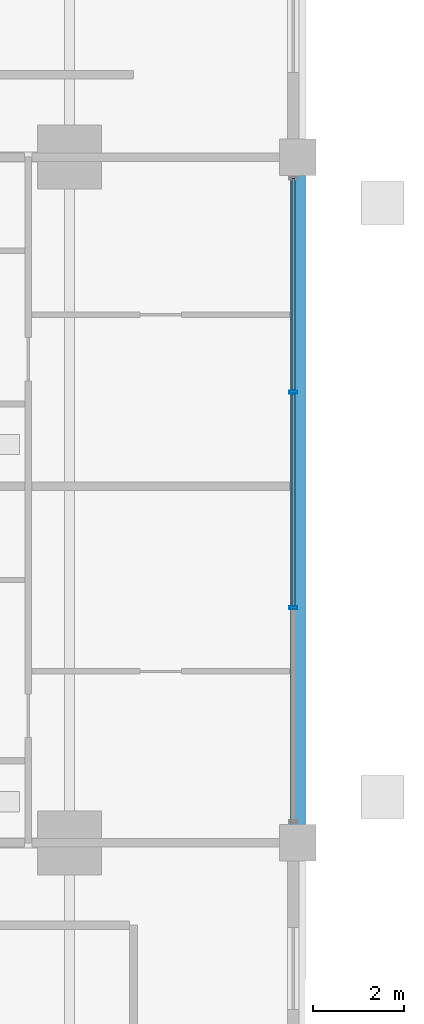
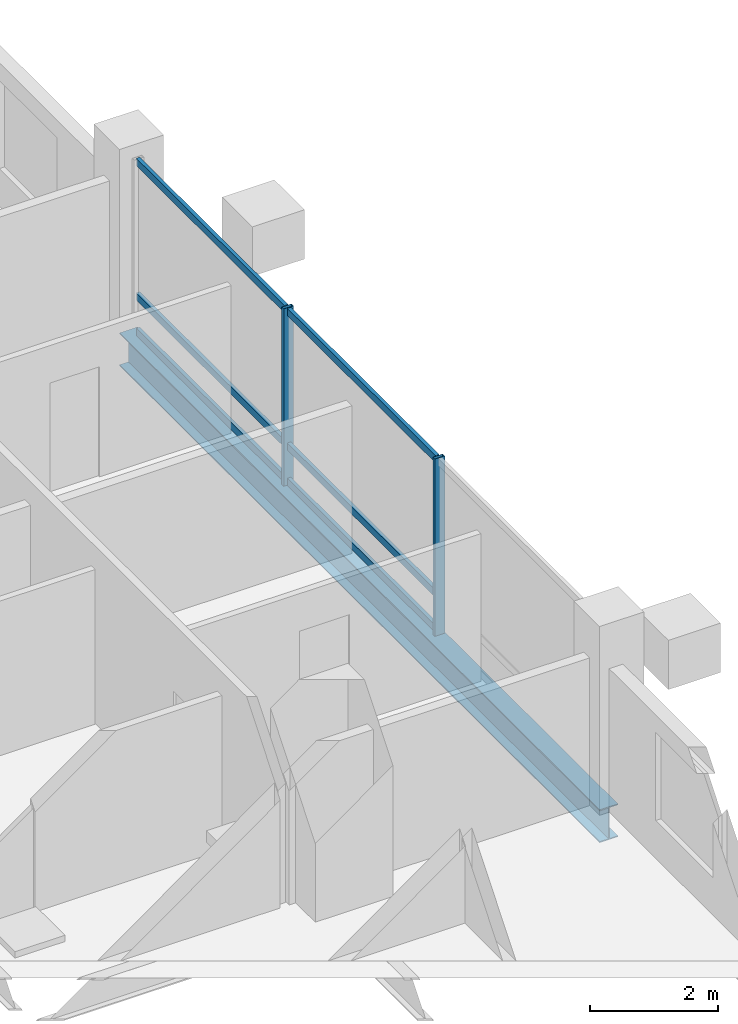
# One storey, part 10 of 23: 8 members, 1 beam, 1 element without a shape of its own.
"""IFC4 building model written with IfcOpenShell, lengths in metres."""

from ifc_helpers import new_model, si_unit, direction, frame, origin, origin_2d, place, context, subcontext, project, spatial, hollow_rectangle, i_section, extrude, material, layer, layer_set, material_profile, profile_set, type_object, element, aggregate, save


model = new_model("IFC4")

# Units and contexts
model_context = context("Model", 3, precision=1e-05, world=origin(), true_north=direction((0.0, 1.0)))
body_context = subcontext(model_context, "Body", "Model", "MODEL_VIEW")
ifc_project = project(units=[si_unit("LENGTHUNIT", "METRE"), si_unit("AREAUNIT", "SQUARE_METRE"), si_unit("VOLUMEUNIT", "CUBIC_METRE"), si_unit("PLANEANGLEUNIT", "RADIAN"), si_unit("MASSUNIT", "GRAM", prefix="KILO")], contexts=[model_context])

# Site, building, storey
site_placement = place(None, origin())
site = spatial("IfcSite", under=ifc_project, at=site_placement, CompositionType="ELEMENT")
building_placement = place(site_placement, origin())
building = spatial("IfcBuilding", under=site, at=building_placement, Name="Barlavira Tower and Art Museum", CompositionType="ELEMENT")
storey_placement = place(building_placement, frame((0.0, 0.0, 75.60009765625)))
storey = spatial("IfcBuildingStorey", under=building, at=storey_placement, Name="L18", CompositionType="ELEMENT", Elevation=75.60009765625)

# Curtain wall, members
ifc_material_1 = material(Name="Low-iron coastal laminated glass", Category="glass")
ifc_layer = layer(ifc_material_1, 0.179931640625, Name="Low-iron coastal laminated glass")
ifc_layer_set = layer_set([ifc_layer], Name="Low-iron coastal laminated glass")
curtain_wall_type = type_object("IfcCurtainWallType", Name="Pale-Metal Unitised Curtain Wall Zone 1", PredefinedType="NOTDEFINED", material=ifc_layer_set)
curtain_wall_placement = place(storey_placement, origin())
curtain_wall = element("IfcCurtainWall", 1, at=curtain_wall_placement, inside=storey, type_object=curtain_wall_type, Name="L18 Curtain Wall CW1-L18-E-B3", PredefinedType="NOTDEFINED")
ifc_material_2 = material(Name="Pale anodised aluminium", Category="aluminium")
ifc_material_profile_1 = material_profile(ifc_material_2, hollow_rectangle(XDim=0.06494140625, YDim=0.179931640625, WallThickness=0.00390625, at=origin_2d()), Name="ALU-MULL 65x180x4")
ifc_profile_set_1 = profile_set([ifc_material_profile_1], Name="Pale anodised aluminium")
member_type_1 = type_object("IfcMemberType", Name="Curtain Wall Pale-Metal Mullion 65x180", PredefinedType="MULLION", material=ifc_profile_set_1)
member_1_placement = place(storey_placement, frame((21.89990234375, -2.360107421875, 0.0), z_axis=(0.0, 0.0, 1.0), x_axis=(0.0, 1.0, 0.0)))
member_1 = element("IfcMember", 2, at=member_1_placement, type_object=member_type_1, Name="CW1-L18-E-B3 Mullion 1", PredefinedType="MULLION", context=body_context, shape_type="SweptSolid", body=[
    extrude(hollow_rectangle(XDim=0.06494140625, YDim=0.179931640625, WallThickness=0.00390625, at=origin_2d()), origin(), (0.0, 0.0, 1.0), 3.3798828125),
])
member_2_placement = place(storey_placement, frame((21.89990234375, 2.360107421875, 0.0), z_axis=(0.0, 0.0, 1.0), x_axis=(0.0, 1.0, 0.0)))
member_2 = element("IfcMember", 3, at=member_2_placement, type_object=member_type_1, Name="CW1-L18-E-B3 Mullion 2", PredefinedType="MULLION", context=body_context, shape_type="SweptSolid", body=[
    extrude(hollow_rectangle(XDim=0.06494140625, YDim=0.179931640625, WallThickness=0.00390625, at=origin_2d()), origin(), (0.0, 0.0, 1.0), 3.3798828125),
])
ifc_material_profile_2 = material_profile(ifc_material_2, hollow_rectangle(XDim=0.06494140625, YDim=0.139892578125, WallThickness=0.00390625, at=origin_2d()), Name="ALU-TRAN 65x140x4")
ifc_profile_set_2 = profile_set([ifc_material_profile_2], Name="Pale anodised aluminium")
member_type_2 = type_object("IfcMemberType", Name="Curtain Wall Pale-Metal Transom 65x140", PredefinedType="USERDEFINED", material=ifc_profile_set_2)
member_3_placement = place(storey_placement, frame((21.89990234375, -2.31494140625, 0.06982421875), z_axis=(0.0, 1.0, 0.0), x_axis=(-1.0, 0.0, 0.0)))
member_3 = element("IfcMember", 4, at=member_3_placement, type_object=member_type_2, Name="CW1-L18-E-B3 Transom 1.1", ObjectType="TRANSOM", PredefinedType="USERDEFINED", context=body_context, shape_type="SweptSolid", body=[
    extrude(hollow_rectangle(XDim=0.06494140625, YDim=0.139892578125, WallThickness=0.00390625, at=origin_2d()), origin(), (0.0, 0.0, 1.0), 4.6298828125),
])
member_4_placement = place(storey_placement, frame((21.89990234375, -2.31494140625, 0.743896484375), z_axis=(0.0, 1.0, 0.0), x_axis=(-1.0, 0.0, 0.0)))
member_4 = element("IfcMember", 5, at=member_4_placement, type_object=member_type_2, Name="CW1-L18-E-B3 Transom 1.2", ObjectType="TRANSOM", PredefinedType="USERDEFINED", context=body_context, shape_type="SweptSolid", body=[
    extrude(hollow_rectangle(XDim=0.06494140625, YDim=0.139892578125, WallThickness=0.00390625, at=origin_2d()), origin(), (0.0, 0.0, 1.0), 4.6298828125),
])
member_5_placement = place(storey_placement, frame((21.89990234375, -2.31494140625, 3.309814453125), z_axis=(0.0, 1.0, 0.0), x_axis=(-1.0, 0.0, 0.0)))
member_5 = element("IfcMember", 6, at=member_5_placement, type_object=member_type_2, Name="CW1-L18-E-B3 Transom 1.3", ObjectType="TRANSOM", PredefinedType="USERDEFINED", context=body_context, shape_type="SweptSolid", body=[
    extrude(hollow_rectangle(XDim=0.06494140625, YDim=0.139892578125, WallThickness=0.00390625, at=origin_2d()), origin(), (0.0, 0.0, 1.0), 4.6298828125),
])
member_6_placement = place(storey_placement, frame((21.89990234375, 2.405029296875, 0.06982421875), z_axis=(0.0, 1.0, 0.0), x_axis=(-1.0, 0.0, 0.0)))
member_6 = element("IfcMember", 7, at=member_6_placement, type_object=member_type_2, Name="CW1-L18-E-B3 Transom 2.1", ObjectType="TRANSOM", PredefinedType="USERDEFINED", context=body_context, shape_type="SweptSolid", body=[
    extrude(hollow_rectangle(XDim=0.06494140625, YDim=0.139892578125, WallThickness=0.00390625, at=origin_2d()), origin(), (0.0, 0.0, 1.0), 4.6298828125),
])
member_7_placement = place(storey_placement, frame((21.89990234375, 2.405029296875, 0.743896484375), z_axis=(0.0, 1.0, 0.0), x_axis=(-1.0, 0.0, 0.0)))
member_7 = element("IfcMember", 8, at=member_7_placement, type_object=member_type_2, Name="CW1-L18-E-B3 Transom 2.2", ObjectType="TRANSOM", PredefinedType="USERDEFINED", context=body_context, shape_type="SweptSolid", body=[
    extrude(hollow_rectangle(XDim=0.06494140625, YDim=0.139892578125, WallThickness=0.00390625, at=origin_2d()), origin(), (0.0, 0.0, 1.0), 4.6298828125),
])
member_8_placement = place(storey_placement, frame((21.89990234375, 2.405029296875, 3.309814453125), z_axis=(0.0, 1.0, 0.0), x_axis=(-1.0, 0.0, 0.0)))
member_8 = element("IfcMember", 9, at=member_8_placement, type_object=member_type_2, Name="CW1-L18-E-B3 Transom 2.3", ObjectType="TRANSOM", PredefinedType="USERDEFINED", context=body_context, shape_type="SweptSolid", body=[
    extrude(hollow_rectangle(XDim=0.06494140625, YDim=0.139892578125, WallThickness=0.00390625, at=origin_2d()), origin(), (0.0, 0.0, 1.0), 4.6298828125),
])
aggregate(curtain_wall, [member_1, member_2, member_3, member_4, member_5, member_6, member_7, member_8])

# Beam
ifc_material_3 = material(Name="Steel S355", Category="steel")
ifc_material_profile_3 = material_profile(ifc_material_3, i_section(OverallWidth=0.327880859375, OverallDepth=0.62890625, WebThickness=0.013916015625, FlangeThickness=0.021484375, at=origin_2d()), Name="W610x174.0")
ifc_profile_set_3 = profile_set([ifc_material_profile_3], Name="Steel S355")
beam_type = type_object("IfcBeamType", Name="Perimeter Spandrel Edge Beam W610x174 Steel S355", PredefinedType="SPANDREL", material=ifc_profile_set_3)
beam_placement = place(storey_placement, frame((22.0, -7.5, -0.53466796875), z_axis=(0.0, 1.0, 0.0), x_axis=(-1.0, 0.0, 0.0)))
element("IfcBeam", 10, at=beam_placement, inside=storey, type_object=beam_type, Name="L18 Spandrel 6", PredefinedType="SPANDREL", context=body_context, shape_type="SweptSolid", body=[
    extrude(i_section(OverallWidth=0.327880859375, OverallDepth=0.62890625, WebThickness=0.013916015625, FlangeThickness=0.021484375, at=origin_2d()), origin(), (0.0, 0.0, 1.0), 15.0),
])

save(model, "model.ifc")
